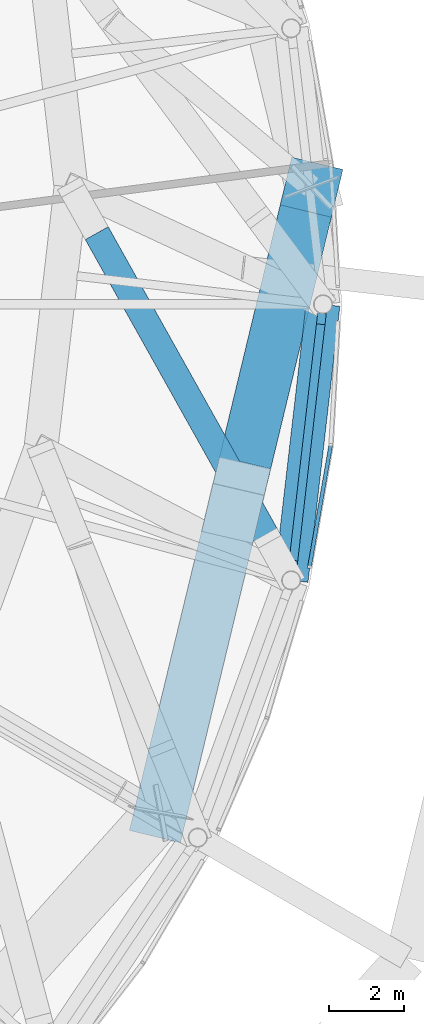
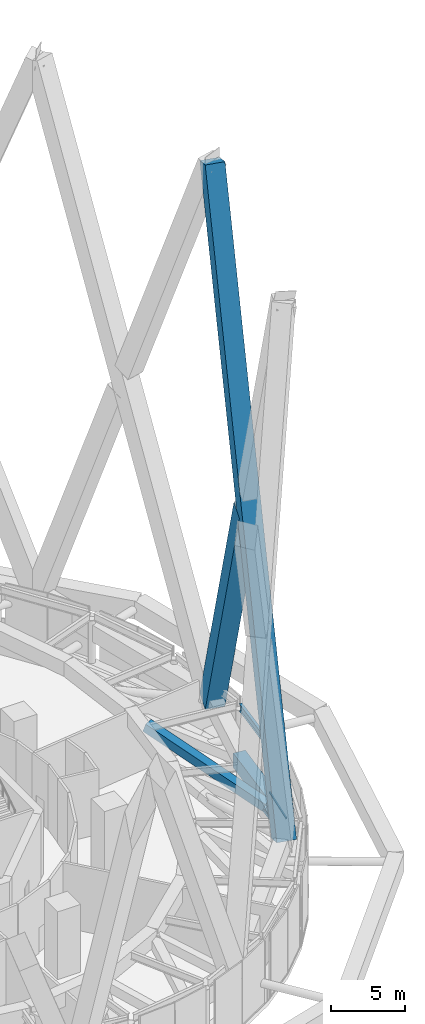
# One storey, part 25 of 60: 4 beams, 3 members, 1 element without a shape of its own.
"""IFC4 building model written with IfcOpenShell, lengths in metres."""

from ifc_helpers import new_model, si_unit, direction, frame, origin, origin_2d, place, context, subcontext, project, spatial, rectangle, hollow_rectangle, i_section, extrude, material, layer, layer_set, material_profile, profile_set, type_object, element, aggregate, save


model = new_model("IFC4")

# Units and contexts
model_context = context("Model", 3, precision=1e-05, world=origin(), true_north=direction((0.0, 1.0)))
body_context = subcontext(model_context, "Body", "Model", "MODEL_VIEW")
ifc_project = project(units=[si_unit("LENGTHUNIT", "METRE"), si_unit("AREAUNIT", "SQUARE_METRE"), si_unit("VOLUMEUNIT", "CUBIC_METRE"), si_unit("PLANEANGLEUNIT", "RADIAN"), si_unit("MASSUNIT", "GRAM", prefix="KILO")], contexts=[model_context])

# Site, building, storey
site_placement = place(None, origin())
site = spatial("IfcSite", under=ifc_project, at=site_placement, CompositionType="ELEMENT")
building_placement = place(site_placement, origin())
building = spatial("IfcBuilding", under=site, at=building_placement, Name="Nagisa Residences", CompositionType="ELEMENT")
storey_placement = place(building_placement, frame((0.0, 0.0, 206.60009765625)))
storey = spatial("IfcBuildingStorey", under=building, at=storey_placement, Name="L52", CompositionType="ELEMENT", Elevation=206.60009765625)

# Beams
ifc_material_1 = material(Name="Steel ASTM A572 Gr 50", Category="steel")
ifc_material_profile_1 = material_profile(ifc_material_1, hollow_rectangle(XDim=0.89990234375, YDim=1.199951171875, WallThickness=0.044921875, at=origin_2d()), Name="BX 900x1200x45")
ifc_profile_set_1 = profile_set([ifc_material_profile_1], Name="Steel ASTM A572 Gr 50")
beam_type_1 = type_object("IfcBeamType", Name="Belt chord 4 BX 900x1200x45", PredefinedType="BEAM", material=ifc_profile_set_1)
beam_1_placement = place(storey_placement, frame((27.62744140625, -7.343994140625, 0.599853515625), z_axis=(0.114660458772, 0.993404740876, 0.0), x_axis=(-0.993404740876, 0.114660458772, 0.0)))
element("IfcBeam", 1, at=beam_1_placement, inside=storey, type_object=beam_type_1, Name="beam:L52:bt4b24", PredefinedType="BEAM", context=body_context, shape_type="SweptSolid", body=[
    extrude(hollow_rectangle(XDim=0.89990234375, YDim=1.199951171875, WallThickness=0.044921875, at=origin_2d()), origin(), (0.0, 0.0, 1.0), 7.392822265625),
])
ifc_material_2 = material(Name="Steel ASTM A572 Gr 50", Category="steel")
ifc_material_profile_2 = material_profile(ifc_material_2, hollow_rectangle(XDim=0.699951171875, YDim=0.699951171875, WallThickness=0.0400390625, at=origin_2d()), Name="BX 700x700x40")
ifc_profile_set_2 = profile_set([ifc_material_profile_2], Name="Steel ASTM A572 Gr 50")
beam_type_2 = type_object("IfcBeamType", Name="Belt diagonal 4 BX 700x700x40", PredefinedType="BEAM", material=ifc_profile_set_2)
beam_2_placement = place(storey_placement, frame((26.997802734375, -6.219482421875, 1.044921875), z_axis=(-0.461774236307, 0.824764974787, 0.326385188156), x_axis=(-0.872548474865, -0.488527541711, 0.0)))
element("IfcBeam", 2, at=beam_2_placement, inside=storey, type_object=beam_type_2, Name="beam:L52:bt4db24", PredefinedType="BEAM", context=body_context, shape_type="SweptSolid", body=[
    extrude(hollow_rectangle(XDim=0.699951171875, YDim=0.699951171875, WallThickness=0.0400390625, at=origin_2d()), origin(), (0.0, 0.0, 1.0), 9.95751953125),
])

# Curtain wall, member
ifc_material_3 = material(Name="Aluminium curtain wall system", Category="aluminium")
ifc_layer = layer(ifc_material_3, 0.159912109375)
ifc_layer_set = layer_set([ifc_layer], Name="CW5 CURTAIN WALL")
curtain_wall_type = type_object("IfcCurtainWallType", Name="CW5 CURTAIN WALL", PredefinedType="NOTDEFINED", material=ifc_layer_set)
curtain_wall_placement = place(storey_placement, origin())
curtain_wall = element("IfcCurtainWall", 3, at=curtain_wall_placement, inside=storey, type_object=curtain_wall_type, Name="cw:CW5:L52:46", PredefinedType="NOTDEFINED")
ifc_material_4 = material(Name="Aluminium", Category="aluminium")
ifc_material_profile_3 = material_profile(ifc_material_4, rectangle(XDim=0.10009765625, YDim=0.1201171875, at=origin_2d()), Name="CW5 TRANSOM 100x120")
ifc_profile_set_3 = profile_set([ifc_material_profile_3], Name="Aluminium")
member_type_1 = type_object("IfcMemberType", Name="CW5 TRANSOM 100x120", PredefinedType="USERDEFINED", material=ifc_profile_set_3)
member_1_placement = place(storey_placement, frame((28.109130859375, -7.016357421875, 0.059814453125), z_axis=(0.172190715586, 0.985063631176, 0.0), x_axis=(-0.985063631176, 0.172190715586, 0.0)))
member_1 = element("IfcMember", 4, at=member_1_placement, type_object=member_type_1, Name="CW5 transom", ObjectType="TRANSOM", PredefinedType="USERDEFINED", context=body_context, shape_type="SweptSolid", body=[
    extrude(rectangle(XDim=0.10009765625, YDim=0.1201171875, at=origin_2d()), origin(), (0.0, 0.0, 1.0), 3.310791015625),
])
aggregate(curtain_wall, [member_1])

# Members
ifc_material_5 = material(Name="Concrete C80", Category="concrete")
ifc_material_profile_4 = material_profile(ifc_material_5, rectangle(XDim=1.39990234375, YDim=1.39990234375, at=origin_2d()), Name="C80 1400x1400")
ifc_profile_set_4 = profile_set([ifc_material_profile_4], Name="Concrete C80")
member_type_2 = type_object("IfcMemberType", Name="Cage diagonal 5 C80 1400x1400", PredefinedType="BRACE", material=ifc_profile_set_4)
member_2_placement = place(storey_placement, frame((24.15478515625, -13.52734375, 3.699951171875), z_axis=(0.084209237685, 0.349095063048, 0.933296009444), x_axis=(-0.972117187205, 0.234495574244, 0.0)))
element("IfcMember", 5, at=member_2_placement, inside=storey, type_object=member_type_2, Name="mem:L52:cg5d023", PredefinedType="BRACE", context=body_context, shape_type="SweptSolid", body=[
    extrude(rectangle(XDim=1.39990234375, YDim=1.39990234375, at=origin_2d()), origin(), (0.0, 0.0, 1.0), 47.680419921875),
])
member_3_placement = place(storey_placement, frame((28.169921875, 3.11767578125, 3.699951171875), z_axis=(-0.084212840341, -0.349092719603, 0.933296560929), x_axis=(0.972114541375, -0.234506542442, 0.0)))
element("IfcMember", 6, at=member_3_placement, inside=storey, type_object=member_type_2, Name="mem:L52:cg5d024a", PredefinedType="BRACE", context=body_context, shape_type="SweptSolid", body=[
    extrude(rectangle(XDim=1.39990234375, YDim=1.39990234375, at=origin_2d()), origin(), (0.0, 0.0, 1.0), 22.81591796875),
])

# Beams
ifc_material_6 = material(Name="Steel ASTM A572 Gr 50", Category="steel")
ifc_material_profile_5 = material_profile(ifc_material_6, i_section(OverallWidth=0.22802734375, OverallDepth=0.60302734375, WebThickness=0.010498046875, FlangeThickness=0.014892578125, at=origin_2d()), Name="W610x101")
ifc_profile_set_5 = profile_set([ifc_material_profile_5], Name="Steel ASTM A572 Gr 50")
beam_type_3 = type_object("IfcBeamType", Name="Garden edge beam W610x101", PredefinedType="BEAM", material=ifc_profile_set_5)
beam_3_placement = place(storey_placement, frame((27.654296875, -7.111572265625, 5.038330078125), z_axis=(0.114652209728, 0.99340569296, 0.0), x_axis=(-0.99340569296, 0.114652209728, 0.0)))
element("IfcBeam", 7, at=beam_3_placement, inside=storey, type_object=beam_type_3, Name="beam:L52:bt4ge24", PredefinedType="BEAM", context=body_context, shape_type="SweptSolid", body=[
    extrude(i_section(OverallWidth=0.22802734375, OverallDepth=0.60302734375, WebThickness=0.010498046875, FlangeThickness=0.014892578125, at=origin_2d()), origin(), (0.0, 0.0, 1.0), 6.9248046875),
])
ifc_material_7 = material(Name="Steel ASTM A572 Gr 50", Category="steel")
ifc_material_profile_6 = material_profile(ifc_material_7, i_section(OverallWidth=0.22802734375, OverallDepth=0.60302734375, WebThickness=0.010498046875, FlangeThickness=0.014892578125, at=origin_2d()), Name="W610x101")
ifc_profile_set_6 = profile_set([ifc_material_profile_6], Name="Steel ASTM A572 Gr 50")
beam_type_4 = type_object("IfcBeamType", Name="Perimeter ring beam W610x101", PredefinedType="BEAM", material=ifc_profile_set_6)
beam_4_placement = place(storey_placement, frame((27.688720703125, -6.813720703125, -0.651611328125), z_axis=(0.11463289794, 0.993407921606, 0.0), x_axis=(-0.993407921606, 0.11463289794, 0.0)))
element("IfcBeam", 8, at=beam_4_placement, inside=storey, type_object=beam_type_4, Name="beam:L52:pb24", PredefinedType="BEAM", context=body_context, shape_type="SweptSolid", body=[
    extrude(i_section(OverallWidth=0.22802734375, OverallDepth=0.60302734375, WebThickness=0.010498046875, FlangeThickness=0.014892578125, at=origin_2d()), origin(), (0.0, 0.0, 1.0), 6.325439453125),
])

save(model, "model.ifc")
